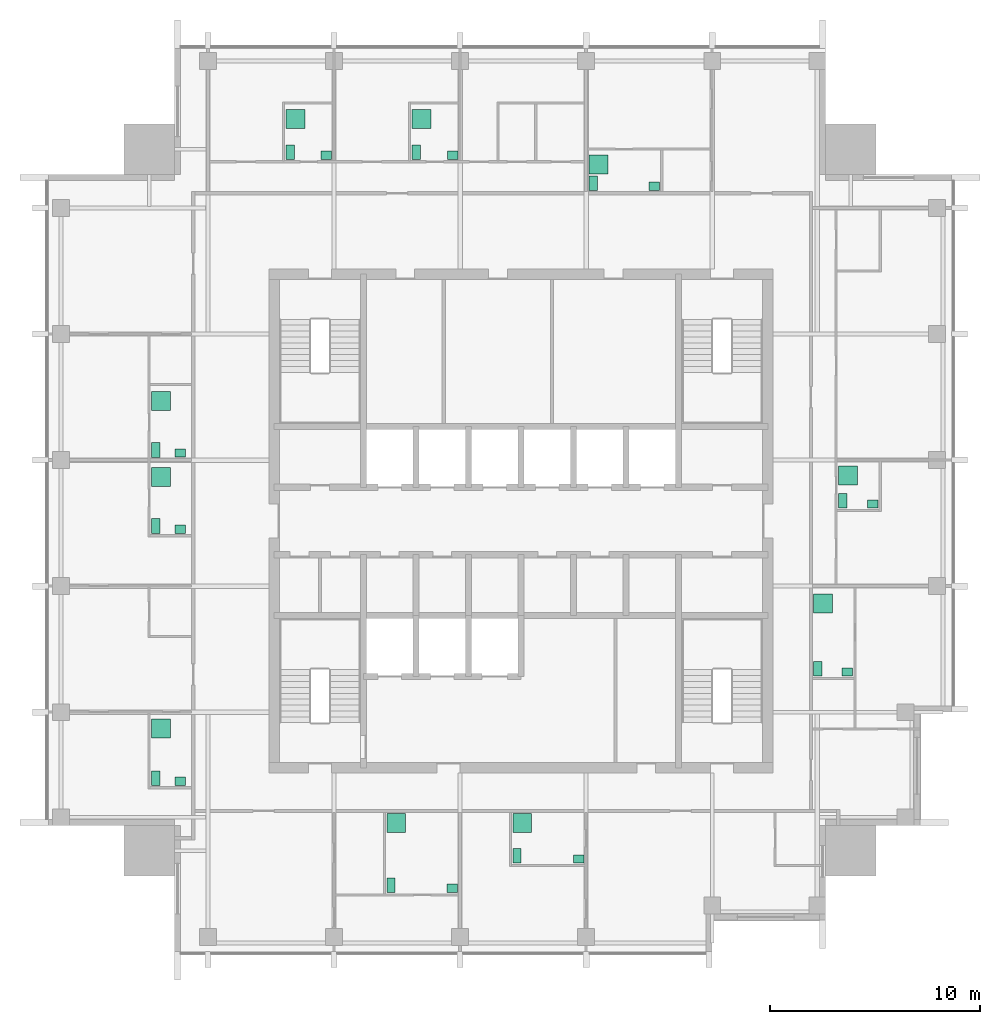
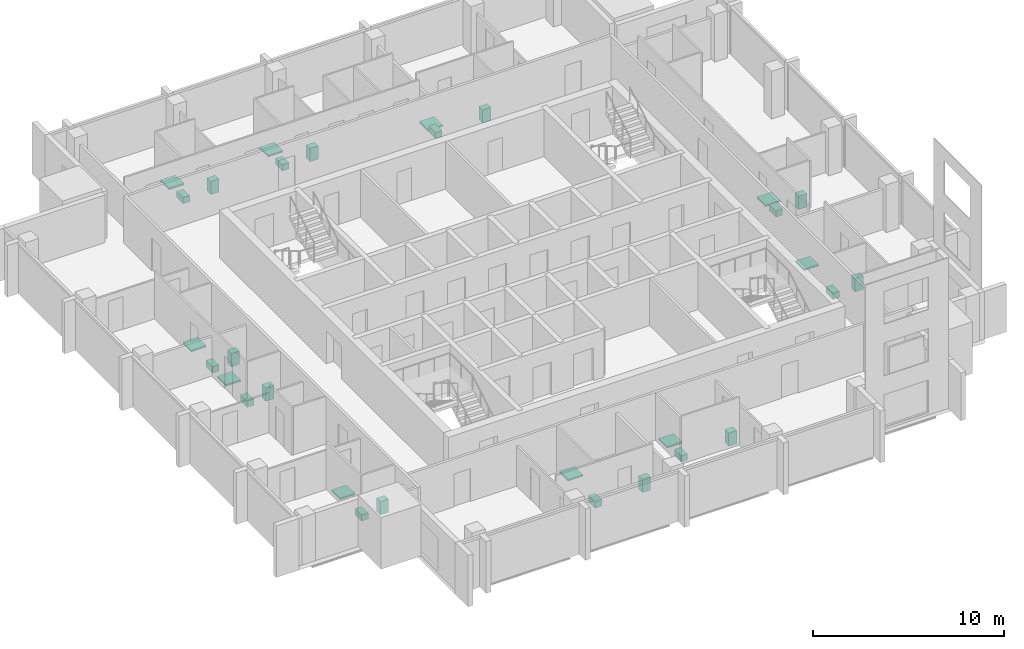
# One storey, part 9 of 9: 30 sanitary terminals.
"""IFC4 building model written with IfcOpenShell, lengths in metres."""

import ifcopenshell
import ifcopenshell.guid

model = None  # the IFC model being written
_history = None  # IfcOwnerHistory: only IFC2X3 demands one
_inside = {}  # id of a spatial element -> (the spatial element, [elements in it])
_under = {}  # id of a project, library or spatial element -> (it, [spatial elements below it])
_declared = {}  # id of a project -> (the project, [libraries it declares])
_typed = {}  # id of a type object -> (the type object, [elements of that type])
_made_of = {}  # id of a material, layer set ... -> (it, [elements and type objects made of it])


def new_model(schema):
    """Start an empty IFC model of exactly this schema.

    Asked for "IFC4X3", IfcOpenShell would pick the latest addendum, in which some entities
    have other attributes; the version numbers below select the first issue.
    IFC2X3 requires an IfcOwnerHistory on every rooted entity: one is made here for all.
    """
    global model, _history
    if schema == "IFC4X3":
        model = ifcopenshell.file(schema_version=(4, 3, 0, 0))
    else:
        model = ifcopenshell.file(schema=schema)
    _inside.clear()
    _under.clear()
    _declared.clear()
    _typed.clear()
    _made_of.clear()
    _history = None
    if model.schema == "IFC2X3":
        org = make("IfcOrganization", Name="unknown")
        user = make(
            "IfcPersonAndOrganization",
            ThePerson=make("IfcPerson", FamilyName="unknown"),
            TheOrganization=org,
        )
        app = make(
            "IfcApplication",
            ApplicationDeveloper=org,
            Version="unknown",
            ApplicationFullName="unknown",
            ApplicationIdentifier="unknown",
        )
        _history = make(
            "IfcOwnerHistory",
            OwningUser=user,
            OwningApplication=app,
            ChangeAction="ADDED",
            CreationDate=0,
        )
    return model


def make(cls, **values):
    """One entity of the class cls with the attributes given. An attribute that is None is left unset."""
    return model.create_entity(
        cls, **{name: value for name, value in values.items() if value is not None}
    )


def rooted(cls, **values):
    """An entity with a GlobalId (a new one), such as an element, a storey or a relation."""
    return make(cls, GlobalId=ifcopenshell.guid.new(), OwnerHistory=_history, **values)


def si_unit(unit_type, name, prefix=None):
    """IfcSIUnit, for example si_unit("LENGTHUNIT", "METRE", prefix="MILLI")."""
    return make("IfcSIUnit", UnitType=unit_type, Prefix=prefix, Name=name)


def assignment(units):
    """IfcUnitAssignment: the units of a project."""
    return None if units is None else make("IfcUnitAssignment", Units=units)


def point(xyz):
    """IfcCartesianPoint."""
    return None if xyz is None else make("IfcCartesianPoint", Coordinates=xyz)


def direction(xyz):
    """IfcDirection."""
    return None if xyz is None else make("IfcDirection", DirectionRatios=xyz)


def frame(location, z_axis=None, x_axis=None):
    """IfcAxis2Placement3D, a coordinate frame: its origin and axes. An axis left out is left unset."""
    return make(
        "IfcAxis2Placement3D",
        Location=point(location),
        Axis=direction(z_axis),
        RefDirection=direction(x_axis),
    )


def frame_2d(location, x_axis=None):
    """IfcAxis2Placement2D, a coordinate frame in the plane: its origin and x axis."""
    return make(
        "IfcAxis2Placement2D", Location=point(location), RefDirection=direction(x_axis)
    )


def origin():
    """The frame at (0, 0, 0) with its axes left unset."""
    return frame((0.0, 0.0, 0.0))


def origin_2d():
    """The frame at (0, 0) in the plane with its x axis left unset."""
    return frame_2d((0.0, 0.0))


def place(relative_to, where):
    """IfcLocalPlacement: puts the frame where relative to a parent placement (None: the world)."""
    return make(
        "IfcLocalPlacement", PlacementRelTo=relative_to, RelativePlacement=where
    )


def context(
    kind, dimensions, precision=None, world=None, true_north=None, identifier=None
):
    """IfcGeometricRepresentationContext, for example the 3D "Model" context."""
    return make(
        "IfcGeometricRepresentationContext",
        ContextIdentifier=identifier,
        ContextType=kind,
        CoordinateSpaceDimension=dimensions,
        Precision=precision,
        WorldCoordinateSystem=world,
        TrueNorth=true_north,
    )


def subcontext(parent, identifier, kind, view, scale=None):
    """IfcGeometricRepresentationSubContext, for example "Body" below "Model"."""
    return make(
        "IfcGeometricRepresentationSubContext",
        ContextIdentifier=identifier,
        ContextType=kind,
        ParentContext=parent,
        TargetScale=scale,
        TargetView=view,
    )


def project(units=None, contexts=None):
    """IfcProject with its units and contexts."""
    return rooted(
        "IfcProject",
        Name="project",
        RepresentationContexts=contexts,
        UnitsInContext=assignment(units),
    )


def spatial(cls, under=None, at=None, **own):
    """A site, building, storey or space (cls), placed at a placement, below another one or the project."""
    s = rooted(cls, ObjectPlacement=at, **own)
    if under is not None:
        _under.setdefault(under.id(), (under, []))[1].append(s)
    return s


def profile(cls, at=None, kind="AREA", **sizes):
    """A parametric profile (cls). Its sizes go by their IFC names, for example OverallWidth=200.0."""
    return make(cls, ProfileType=kind, Position=at, **sizes)


def rectangle(**sizes):
    """IfcRectangleProfileDef."""
    return profile("IfcRectangleProfileDef", **sizes)


def extrude(swept, where, along, depth):
    """IfcExtrudedAreaSolid: the profile swept, set in the frame where, extruded along a direction by depth."""
    return make(
        "IfcExtrudedAreaSolid",
        SweptArea=swept,
        Position=where,
        ExtrudedDirection=direction(along),
        Depth=depth,
    )


def shape(context_of_items, identifier, shape_type, items):
    """IfcShapeRepresentation: the items that make up one representation, for example the "Body"."""
    return make(
        "IfcShapeRepresentation",
        ContextOfItems=context_of_items,
        RepresentationIdentifier=identifier,
        RepresentationType=shape_type,
        Items=items,
    )


def made_of(thing, what):
    """Note that an element or type object is made of a material, layer set ...; save() writes the relation."""
    if what is not None:
        _made_of.setdefault(what.id(), (what, []))[1].append(thing)
    return thing


def element(
    cls,
    number,
    at=None,
    inside=None,
    cuts=None,
    type_object=None,
    material=None,
    context=None,
    identifier="Body",
    shape_type=None,
    held_by="IfcProductDefinitionShape",
    body=None,
    shapes=None,
    **own,
):
    """One element of the class cls, such as IfcWall. Its Tag is "e" and its number.

    at: its placement. inside: the storey or other place that contains it. cuts: it is an
    opening in that element (IfcRelVoidsElement). A single representation is given by context,
    identifier, shape_type and body (its items); several are given by shapes. held_by: the class
    of the entity that holds the representations. save() writes the other relations.
    """
    e = rooted(cls, Tag="e%d" % number, ObjectPlacement=at, **own)
    if body is not None:
        shapes = [shape(context, identifier, shape_type, body)]
    if shapes is not None:
        e.Representation = make(held_by, Representations=shapes)
    if inside is not None:
        _inside.setdefault(inside.id(), (inside, []))[1].append(e)
    if cuts is not None:
        rooted(
            "IfcRelVoidsElement", RelatingBuildingElement=cuts, RelatedOpeningElement=e
        )
    if type_object is not None:
        _typed.setdefault(type_object.id(), (type_object, []))[1].append(e)
    return made_of(e, material)


def aggregate(whole, parts):
    """IfcRelAggregates: a whole, such as a stair, and the parts it consists of."""
    return rooted("IfcRelAggregates", RelatingObject=whole, RelatedObjects=parts)


def save(model, path):
    """Write the relations noted so far, then the file.

    IfcRelAggregates (storeys below a building ...), IfcRelContainedInSpatialStructure (elements
    in a storey), IfcRelDefinesByType, IfcRelAssociatesMaterial and IfcRelDeclares: one each for
    every whole, place, type object, material and project.
    """
    for whole, parts in _under.values():
        aggregate(whole, parts)
    for where, things in _inside.values():
        rooted(
            "IfcRelContainedInSpatialStructure",
            RelatedElements=things,
            RelatingStructure=where,
        )
    for kind, things in _typed.values():
        rooted("IfcRelDefinesByType", RelatedObjects=things, RelatingType=kind)
    for what, things in _made_of.values():
        rooted("IfcRelAssociatesMaterial", RelatedObjects=things, RelatingMaterial=what)
    for by, libraries in _declared.values():
        rooted("IfcRelDeclares", RelatingContext=by, RelatedDefinitions=libraries)
    model.write(path)


model = new_model("IFC4")

# Units and contexts
model_context = context("Model", 3, precision=1e-05, world=origin(), true_north=direction((0.0, 1.0)))
body_context = subcontext(model_context, "Body", "Model", "MODEL_VIEW")
ifc_project = project(units=[si_unit("LENGTHUNIT", "METRE"), si_unit("AREAUNIT", "SQUARE_METRE"), si_unit("VOLUMEUNIT", "CUBIC_METRE"), si_unit("PLANEANGLEUNIT", "RADIAN"), si_unit("MASSUNIT", "GRAM", prefix="KILO")], contexts=[model_context])

# Site, building, storey
site_placement = place(None, origin())
site = spatial("IfcSite", under=ifc_project, at=site_placement, CompositionType="ELEMENT")
building_placement = place(site_placement, origin())
building = spatial("IfcBuilding", under=site, at=building_placement, Name="Amberfall Residences", CompositionType="ELEMENT")
storey_placement = place(building_placement, frame((0.0, 0.0, 248.800048828125)))
storey = spatial("IfcBuildingStorey", under=building, at=storey_placement, Name="L66", CompositionType="ELEMENT", Elevation=248.800048828125)

# Sanitary terminals
sanitary_terminal_1_placement = place(storey_placement, frame((68.31005859375, 28.159912109375, 0.0), z_axis=(0.0, 0.0, 1.0), x_axis=(1.0, 0.0, 0.0)))
element("IfcSanitaryTerminal", 1, at=sanitary_terminal_1_placement, inside=storey, Name="Water closet 6601", PredefinedType="TOILETPAN", context=body_context, shape_type="SweptSolid", body=[
    extrude(rectangle(XDim=0.39990234375, YDim=0.699951171875, at=origin_2d()), origin(), (0.0, 0.0, 1.0), 0.39990234375),
])
sanitary_terminal_2_placement = place(storey_placement, frame((71.215087890625, 28.010009765625, 0.0), z_axis=(0.0, 0.0, 1.0), x_axis=(1.0, 0.0, 0.0)))
element("IfcSanitaryTerminal", 2, at=sanitary_terminal_2_placement, inside=storey, Name="Basin 6601", PredefinedType="WASHHANDBASIN", context=body_context, shape_type="SweptSolid", body=[
    extrude(rectangle(XDim=0.5, YDim=0.39990234375, at=origin_2d()), origin(), (0.0, 0.0, 1.0), 0.85009765625),
])
sanitary_terminal_3_placement = place(storey_placement, frame((68.56005859375, 31.114990234375, 0.0), z_axis=(0.0, 0.0, 1.0), x_axis=(1.0, 0.0, 0.0)))
element("IfcSanitaryTerminal", 3, at=sanitary_terminal_3_placement, inside=storey, Name="Shower tray 6601", PredefinedType="SHOWER", context=body_context, shape_type="SweptSolid", body=[
    extrude(rectangle(XDim=0.89990234375, YDim=0.89990234375, at=origin_2d()), origin(), (0.0, 0.0, 1.0), 0.10009765625),
])
sanitary_terminal_4_placement = place(storey_placement, frame((74.31005859375, 29.56005859375, 0.0), z_axis=(0.0, 0.0, 1.0), x_axis=(1.0, 0.0, 0.0)))
element("IfcSanitaryTerminal", 4, at=sanitary_terminal_4_placement, inside=storey, Name="Water closet 6602", PredefinedType="TOILETPAN", context=body_context, shape_type="SweptSolid", body=[
    extrude(rectangle(XDim=0.39990234375, YDim=0.699951171875, at=origin_2d()), origin(), (0.0, 0.0, 1.0), 0.39990234375),
])
sanitary_terminal_5_placement = place(storey_placement, frame((77.239990234375, 29.409912109375, 0.0), z_axis=(0.0, 0.0, 1.0), x_axis=(1.0, 0.0, 0.0)))
element("IfcSanitaryTerminal", 5, at=sanitary_terminal_5_placement, inside=storey, Name="Basin 6602", PredefinedType="WASHHANDBASIN", context=body_context, shape_type="SweptSolid", body=[
    extrude(rectangle(XDim=0.5, YDim=0.39990234375, at=origin_2d()), origin(), (0.0, 0.0, 1.0), 0.85009765625),
])
sanitary_terminal_6_placement = place(storey_placement, frame((74.56005859375, 31.114990234375, 0.0), z_axis=(0.0, 0.0, 1.0), x_axis=(1.0, 0.0, 0.0)))
element("IfcSanitaryTerminal", 6, at=sanitary_terminal_6_placement, inside=storey, Name="Shower tray 6602", PredefinedType="SHOWER", context=body_context, shape_type="SweptSolid", body=[
    extrude(rectangle(XDim=0.89990234375, YDim=0.89990234375, at=origin_2d()), origin(), (0.0, 0.0, 1.0), 0.10009765625),
])
sanitary_terminal_7_placement = place(storey_placement, frame((88.635009765625, 38.4599609375, 0.0), z_axis=(0.0, 0.0, 1.0), x_axis=(1.0, 0.0, 0.0)))
element("IfcSanitaryTerminal", 7, at=sanitary_terminal_7_placement, inside=storey, Name="Water closet 6603", PredefinedType="TOILETPAN", context=body_context, shape_type="SweptSolid", body=[
    extrude(rectangle(XDim=0.39990234375, YDim=0.699951171875, at=origin_2d()), origin(), (0.0, 0.0, 1.0), 0.39990234375),
])
sanitary_terminal_8_placement = place(storey_placement, frame((90.0400390625, 38.31005859375, 0.0), z_axis=(0.0, 0.0, 1.0), x_axis=(1.0, 0.0, 0.0)))
element("IfcSanitaryTerminal", 8, at=sanitary_terminal_8_placement, inside=storey, Name="Basin 6603", PredefinedType="WASHHANDBASIN", context=body_context, shape_type="SweptSolid", body=[
    extrude(rectangle(XDim=0.5, YDim=0.39990234375, at=origin_2d()), origin(), (0.0, 0.0, 1.0), 0.85009765625),
])
sanitary_terminal_9_placement = place(storey_placement, frame((88.885009765625, 41.58251953125, 0.0), z_axis=(0.0, 0.0, 1.0), x_axis=(1.0, 0.0, 0.0)))
element("IfcSanitaryTerminal", 9, at=sanitary_terminal_9_placement, inside=storey, Name="Shower tray 6603", PredefinedType="SHOWER", context=body_context, shape_type="SweptSolid", body=[
    extrude(rectangle(XDim=0.89990234375, YDim=0.89990234375, at=origin_2d()), origin(), (0.0, 0.0, 1.0), 0.10009765625),
])
sanitary_terminal_10_placement = place(storey_placement, frame((89.81005859375, 46.4599609375, 0.0), z_axis=(0.0, 0.0, 1.0), x_axis=(1.0, 0.0, 0.0)))
element("IfcSanitaryTerminal", 10, at=sanitary_terminal_10_placement, inside=storey, Name="Water closet 6604", PredefinedType="TOILETPAN", context=body_context, shape_type="SweptSolid", body=[
    extrude(rectangle(XDim=0.39990234375, YDim=0.699951171875, at=origin_2d()), origin(), (0.0, 0.0, 1.0), 0.39990234375),
])
sanitary_terminal_11_placement = place(storey_placement, frame((91.239990234375, 46.31005859375, 0.0), z_axis=(0.0, 0.0, 1.0), x_axis=(1.0, 0.0, 0.0)))
element("IfcSanitaryTerminal", 11, at=sanitary_terminal_11_placement, inside=storey, Name="Basin 6604", PredefinedType="WASHHANDBASIN", context=body_context, shape_type="SweptSolid", body=[
    extrude(rectangle(XDim=0.5, YDim=0.39990234375, at=origin_2d()), origin(), (0.0, 0.0, 1.0), 0.85009765625),
])
sanitary_terminal_12_placement = place(storey_placement, frame((90.06005859375, 47.6572265625, 0.0), z_axis=(0.0, 0.0, 1.0), x_axis=(1.0, 0.0, 0.0)))
element("IfcSanitaryTerminal", 12, at=sanitary_terminal_12_placement, inside=storey, Name="Shower tray 6604", PredefinedType="SHOWER", context=body_context, shape_type="SweptSolid", body=[
    extrude(rectangle(XDim=0.89990234375, YDim=0.89990234375, at=origin_2d()), origin(), (0.0, 0.0, 1.0), 0.10009765625),
])
sanitary_terminal_13_placement = place(storey_placement, frame((63.510009765625, 63.06005859375, 0.0), z_axis=(0.0, 0.0, 1.0), x_axis=(1.0, 0.0, 0.0)))
element("IfcSanitaryTerminal", 13, at=sanitary_terminal_13_placement, inside=storey, Name="Water closet 6605", PredefinedType="TOILETPAN", context=body_context, shape_type="SweptSolid", body=[
    extrude(rectangle(XDim=0.39990234375, YDim=0.699951171875, at=origin_2d()), origin(), (0.0, 0.0, 1.0), 0.39990234375),
])
sanitary_terminal_14_placement = place(storey_placement, frame((65.239990234375, 62.909912109375, 0.0), z_axis=(0.0, 0.0, 1.0), x_axis=(1.0, 0.0, 0.0)))
element("IfcSanitaryTerminal", 14, at=sanitary_terminal_14_placement, inside=storey, Name="Basin 6605", PredefinedType="WASHHANDBASIN", context=body_context, shape_type="SweptSolid", body=[
    extrude(rectangle(XDim=0.5, YDim=0.39990234375, at=origin_2d()), origin(), (0.0, 0.0, 1.0), 0.85009765625),
])
sanitary_terminal_15_placement = place(storey_placement, frame((63.760009765625, 64.6298828125, 0.0), z_axis=(0.0, 0.0, 1.0), x_axis=(1.0, 0.0, 0.0)))
element("IfcSanitaryTerminal", 15, at=sanitary_terminal_15_placement, inside=storey, Name="Shower tray 6605", PredefinedType="SHOWER", context=body_context, shape_type="SweptSolid", body=[
    extrude(rectangle(XDim=0.89990234375, YDim=0.89990234375, at=origin_2d()), origin(), (0.0, 0.0, 1.0), 0.10009765625),
])
sanitary_terminal_16_placement = place(storey_placement, frame((69.510009765625, 63.06005859375, 0.0), z_axis=(0.0, 0.0, 1.0), x_axis=(1.0, 0.0, 0.0)))
element("IfcSanitaryTerminal", 16, at=sanitary_terminal_16_placement, inside=storey, Name="Water closet 6605", PredefinedType="TOILETPAN", context=body_context, shape_type="SweptSolid", body=[
    extrude(rectangle(XDim=0.39990234375, YDim=0.699951171875, at=origin_2d()), origin(), (0.0, 0.0, 1.0), 0.39990234375),
])
sanitary_terminal_17_placement = place(storey_placement, frame((71.239990234375, 62.909912109375, 0.0), z_axis=(0.0, 0.0, 1.0), x_axis=(1.0, 0.0, 0.0)))
element("IfcSanitaryTerminal", 17, at=sanitary_terminal_17_placement, inside=storey, Name="Basin 6605", PredefinedType="WASHHANDBASIN", context=body_context, shape_type="SweptSolid", body=[
    extrude(rectangle(XDim=0.5, YDim=0.39990234375, at=origin_2d()), origin(), (0.0, 0.0, 1.0), 0.85009765625),
])
sanitary_terminal_18_placement = place(storey_placement, frame((69.760009765625, 64.6298828125, 0.0), z_axis=(0.0, 0.0, 1.0), x_axis=(1.0, 0.0, 0.0)))
element("IfcSanitaryTerminal", 18, at=sanitary_terminal_18_placement, inside=storey, Name="Shower tray 6605", PredefinedType="SHOWER", context=body_context, shape_type="SweptSolid", body=[
    extrude(rectangle(XDim=0.89990234375, YDim=0.89990234375, at=origin_2d()), origin(), (0.0, 0.0, 1.0), 0.10009765625),
])
sanitary_terminal_19_placement = place(storey_placement, frame((77.93505859375, 61.5849609375, 0.0), z_axis=(0.0, 0.0, 1.0), x_axis=(1.0, 0.0, 0.0)))
element("IfcSanitaryTerminal", 19, at=sanitary_terminal_19_placement, inside=storey, Name="Water closet 6606", PredefinedType="TOILETPAN", context=body_context, shape_type="SweptSolid", body=[
    extrude(rectangle(XDim=0.39990234375, YDim=0.699951171875, at=origin_2d()), origin(), (0.0, 0.0, 1.0), 0.39990234375),
])
sanitary_terminal_20_placement = place(storey_placement, frame((80.840087890625, 61.43505859375, 0.0), z_axis=(0.0, 0.0, 1.0), x_axis=(1.0, 0.0, 0.0)))
element("IfcSanitaryTerminal", 20, at=sanitary_terminal_20_placement, inside=storey, Name="Basin 6606", PredefinedType="WASHHANDBASIN", context=body_context, shape_type="SweptSolid", body=[
    extrude(rectangle(XDim=0.5, YDim=0.39990234375, at=origin_2d()), origin(), (0.0, 0.0, 1.0), 0.85009765625),
])
sanitary_terminal_21_placement = place(storey_placement, frame((78.18505859375, 62.480712890625, 0.0), z_axis=(0.0, 0.0, 1.0), x_axis=(1.0, 0.0, 0.0)))
element("IfcSanitaryTerminal", 21, at=sanitary_terminal_21_placement, inside=storey, Name="Shower tray 6606", PredefinedType="SHOWER", context=body_context, shape_type="SweptSolid", body=[
    extrude(rectangle(XDim=0.89990234375, YDim=0.89990234375, at=origin_2d()), origin(), (0.0, 0.0, 1.0), 0.10009765625),
])
sanitary_terminal_22_placement = place(storey_placement, frame((57.110107421875, 33.260009765625, 0.0), z_axis=(0.0, 0.0, 1.0), x_axis=(1.0, 0.0, 0.0)))
element("IfcSanitaryTerminal", 22, at=sanitary_terminal_22_placement, inside=storey, Name="Water closet 6607", PredefinedType="TOILETPAN", context=body_context, shape_type="SweptSolid", body=[
    extrude(rectangle(XDim=0.39990234375, YDim=0.699951171875, at=origin_2d()), origin(), (0.0, 0.0, 1.0), 0.39990234375),
])
sanitary_terminal_23_placement = place(storey_placement, frame((58.2890625, 33.110107421875, 0.0), z_axis=(0.0, 0.0, 1.0), x_axis=(1.0, 0.0, 0.0)))
element("IfcSanitaryTerminal", 23, at=sanitary_terminal_23_placement, inside=storey, Name="Basin 6607", PredefinedType="WASHHANDBASIN", context=body_context, shape_type="SweptSolid", body=[
    extrude(rectangle(XDim=0.5, YDim=0.39990234375, at=origin_2d()), origin(), (0.0, 0.0, 1.0), 0.85009765625),
])
sanitary_terminal_24_placement = place(storey_placement, frame((57.360107421875, 35.614501953125, 0.0), z_axis=(0.0, 0.0, 1.0), x_axis=(1.0, 0.0, 0.0)))
element("IfcSanitaryTerminal", 24, at=sanitary_terminal_24_placement, inside=storey, Name="Shower tray 6607", PredefinedType="SHOWER", context=body_context, shape_type="SweptSolid", body=[
    extrude(rectangle(XDim=0.89990234375, YDim=0.89990234375, at=origin_2d()), origin(), (0.0, 0.0, 1.0), 0.10009765625),
])
sanitary_terminal_25_placement = place(storey_placement, frame((57.110107421875, 45.260009765625, 0.0), z_axis=(0.0, 0.0, 1.0), x_axis=(1.0, 0.0, 0.0)))
element("IfcSanitaryTerminal", 25, at=sanitary_terminal_25_placement, inside=storey, Name="Water closet 6607", PredefinedType="TOILETPAN", context=body_context, shape_type="SweptSolid", body=[
    extrude(rectangle(XDim=0.39990234375, YDim=0.699951171875, at=origin_2d()), origin(), (0.0, 0.0, 1.0), 0.39990234375),
])
sanitary_terminal_26_placement = place(storey_placement, frame((58.2890625, 45.110107421875, 0.0), z_axis=(0.0, 0.0, 1.0), x_axis=(1.0, 0.0, 0.0)))
element("IfcSanitaryTerminal", 26, at=sanitary_terminal_26_placement, inside=storey, Name="Basin 6607", PredefinedType="WASHHANDBASIN", context=body_context, shape_type="SweptSolid", body=[
    extrude(rectangle(XDim=0.5, YDim=0.39990234375, at=origin_2d()), origin(), (0.0, 0.0, 1.0), 0.85009765625),
])
sanitary_terminal_27_placement = place(storey_placement, frame((57.360107421875, 47.591796875, 0.0), z_axis=(0.0, 0.0, 1.0), x_axis=(1.0, 0.0, 0.0)))
element("IfcSanitaryTerminal", 27, at=sanitary_terminal_27_placement, inside=storey, Name="Shower tray 6607", PredefinedType="SHOWER", context=body_context, shape_type="SweptSolid", body=[
    extrude(rectangle(XDim=0.89990234375, YDim=0.89990234375, at=origin_2d()), origin(), (0.0, 0.0, 1.0), 0.10009765625),
])
sanitary_terminal_28_placement = place(storey_placement, frame((57.110107421875, 48.885009765625, 0.0), z_axis=(0.0, 0.0, 1.0), x_axis=(1.0, 0.0, 0.0)))
element("IfcSanitaryTerminal", 28, at=sanitary_terminal_28_placement, inside=storey, Name="Water closet 6608", PredefinedType="TOILETPAN", context=body_context, shape_type="SweptSolid", body=[
    extrude(rectangle(XDim=0.39990234375, YDim=0.699951171875, at=origin_2d()), origin(), (0.0, 0.0, 1.0), 0.39990234375),
])
sanitary_terminal_29_placement = place(storey_placement, frame((58.2890625, 48.735107421875, 0.0), z_axis=(0.0, 0.0, 1.0), x_axis=(1.0, 0.0, 0.0)))
element("IfcSanitaryTerminal", 29, at=sanitary_terminal_29_placement, inside=storey, Name="Basin 6608", PredefinedType="WASHHANDBASIN", context=body_context, shape_type="SweptSolid", body=[
    extrude(rectangle(XDim=0.5, YDim=0.39990234375, at=origin_2d()), origin(), (0.0, 0.0, 1.0), 0.85009765625),
])
sanitary_terminal_30_placement = place(storey_placement, frame((57.360107421875, 51.216796875, 0.0), z_axis=(0.0, 0.0, 1.0), x_axis=(1.0, 0.0, 0.0)))
element("IfcSanitaryTerminal", 30, at=sanitary_terminal_30_placement, inside=storey, Name="Shower tray 6608", PredefinedType="SHOWER", context=body_context, shape_type="SweptSolid", body=[
    extrude(rectangle(XDim=0.89990234375, YDim=0.89990234375, at=origin_2d()), origin(), (0.0, 0.0, 1.0), 0.10009765625),
])

save(model, "model.ifc")
